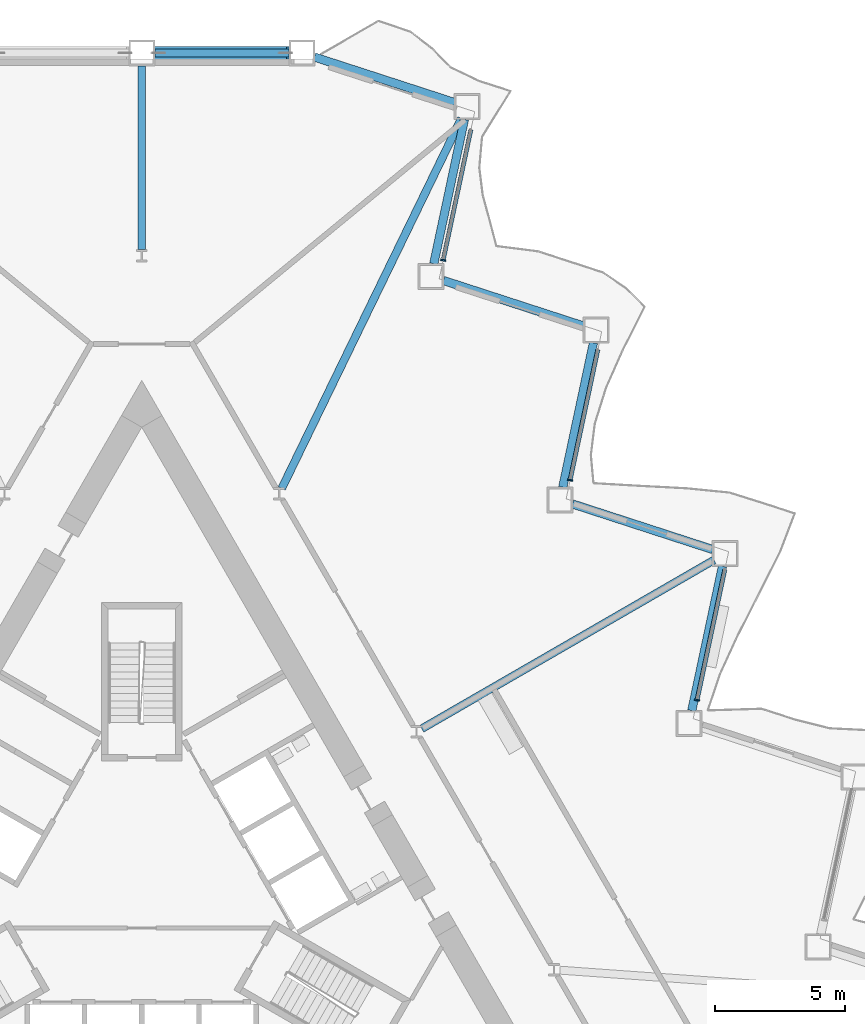
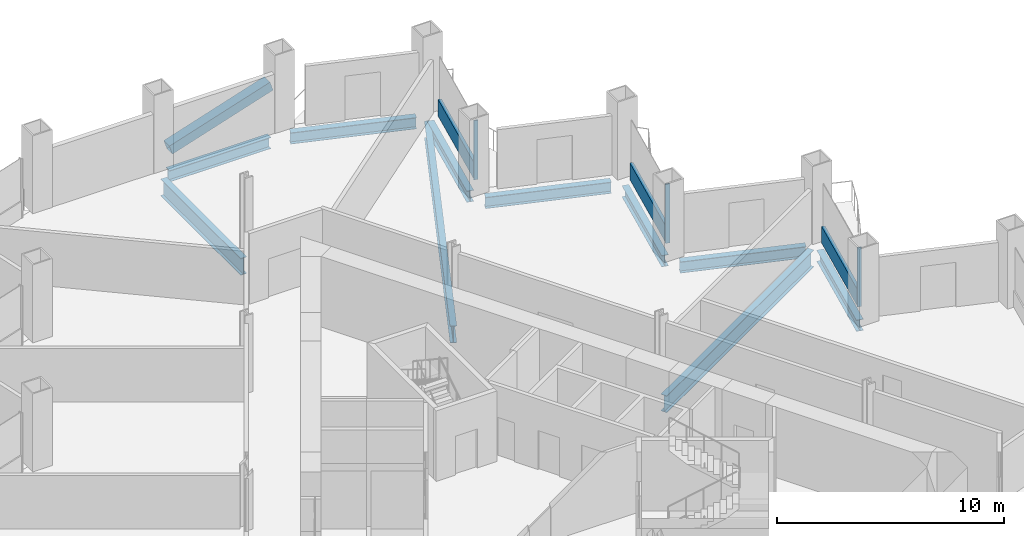
# One storey, part 7 of 20: 10 beams, 7 members, 3 elements without a shape of their own.
"""IFC4 building model written with IfcOpenShell, lengths in metres."""

from ifc_helpers import new_model, si_unit, direction, frame, origin, origin_2d, place, context, subcontext, project, spatial, rectangle, hollow_rectangle, i_section, extrude, material, layer, layer_set, material_profile, profile_set, type_object, element, aggregate, save


model = new_model("IFC4")

# Units and contexts
model_context = context("Model", 3, precision=1e-05, world=origin(), true_north=direction((0.0, 1.0)))
body_context = subcontext(model_context, "Body", "Model", "MODEL_VIEW")
ifc_project = project(units=[si_unit("LENGTHUNIT", "METRE"), si_unit("AREAUNIT", "SQUARE_METRE"), si_unit("VOLUMEUNIT", "CUBIC_METRE"), si_unit("PLANEANGLEUNIT", "RADIAN"), si_unit("MASSUNIT", "GRAM", prefix="KILO")], contexts=[model_context])

# Site, building, storey
site_placement = place(None, origin())
site = spatial("IfcSite", under=ifc_project, at=site_placement, CompositionType="ELEMENT")
building_placement = place(site_placement, origin())
building = spatial("IfcBuilding", under=site, at=building_placement, Name="Cormorant Prow Tower", CompositionType="ELEMENT")
storey_placement = place(building_placement, frame((0.0, 0.0, 63.60009765625)))
storey = spatial("IfcBuildingStorey", under=building, at=storey_placement, Name="L13", CompositionType="ELEMENT", Elevation=63.60009765625)

# Member
ifc_material_1 = material(Name="Structural steel ASTM A500 Gr C", Category="steel")
ifc_material_profile_1 = material_profile(ifc_material_1, hollow_rectangle(XDim=0.508056640625, YDim=0.508056640625, WallThickness=0.014892578125, at=origin_2d()), Name="HSS20x20x5/8")
ifc_profile_set_1 = profile_set([ifc_material_profile_1], Name="Structural steel ASTM A500 Gr C")
member_type_1 = type_object("IfcMemberType", Name="Chamfer brace HSS20x20x5/8", PredefinedType="BRACE", material=ifc_profile_set_1)
member_1_placement = place(storey_placement, frame((0.518798828125, 32.233642578125, 0.76708984375), z_axis=(0.951761092368, 0.0, 0.306840061033), x_axis=(0.0, 1.0, 0.0)))
element("IfcMember", 1, at=member_1_placement, inside=storey, type_object=member_type_1, Name="Chamfer brace BR1 at N00 L13", PredefinedType="BRACE", context=body_context, shape_type="SweptSolid", body=[
    extrude(hollow_rectangle(XDim=0.508056640625, YDim=0.508056640625, WallThickness=0.014892578125, at=origin_2d()), origin(), (0.0, 0.0, 1.0), 5.39208984375),
])

# Curtain wall, member
ifc_material_2 = material(Name="Aluminium 6063-T6", Category="aluminium")
ifc_layer = layer(ifc_material_2, 0.199951171875)
ifc_layer_set = layer_set([ifc_layer], Name="Aluminium 6063-T6")
curtain_wall_type = type_object("IfcCurtainWallType", Name="Office unitised curtain wall 200", PredefinedType="NOTDEFINED", material=ifc_layer_set)
curtain_wall_1_placement = place(storey_placement, origin())
curtain_wall_1 = element("IfcCurtainWall", 2, at=curtain_wall_1_placement, inside=storey, type_object=curtain_wall_type, Name="Office curtain wall ENE04", PredefinedType="NOTDEFINED")
ifc_material_3 = material(Name="Aluminium 6063-T6", Category="aluminium")
ifc_material_profile_2 = material_profile(ifc_material_3, rectangle(XDim=0.199951171875, YDim=0.06005859375, at=origin_2d()), Name="Office mullion 60x200")
ifc_profile_set_2 = profile_set([ifc_material_profile_2], Name="Aluminium 6063-T6")
member_type_2 = type_object("IfcMemberType", Name="Office mullion 60x200", PredefinedType="MULLION", material=ifc_profile_set_2)
member_2_placement = place(storey_placement, frame((21.376953125, 7.326904296875, 0.0), z_axis=(0.0, 0.0, 1.0), x_axis=(-0.978147607222, 0.207911660293, 0.0)))
member_2 = element("IfcMember", 3, at=member_2_placement, type_object=member_type_2, Name="Office mullion ENE04", PredefinedType="MULLION", context=body_context, shape_type="SweptSolid", body=[
    extrude(rectangle(XDim=0.199951171875, YDim=0.06005859375, at=origin_2d()), origin(), (0.0, 0.0, 1.0), 3.188720703125),
])

curtain_wall_2_placement = place(storey_placement, origin())
curtain_wall_2 = element("IfcCurtainWall", 4, at=curtain_wall_2_placement, inside=storey, type_object=curtain_wall_type, Name="Office curtain wall ENE06", PredefinedType="NOTDEFINED")
member_3_placement = place(storey_placement, frame((16.489013671875, 15.79296875, 0.0), z_axis=(0.0, 0.0, 1.0), x_axis=(-0.978147576301, 0.207911805763, 0.0)))
member_3 = element("IfcMember", 5, at=member_3_placement, type_object=member_type_2, Name="Office mullion ENE06", PredefinedType="MULLION", context=body_context, shape_type="SweptSolid", body=[
    extrude(rectangle(XDim=0.199951171875, YDim=0.06005859375, at=origin_2d()), origin(), (0.0, 0.0, 1.0), 3.188720703125),
])

curtain_wall_3_placement = place(storey_placement, origin())
curtain_wall_3 = element("IfcCurtainWall", 6, at=curtain_wall_3_placement, inside=storey, type_object=curtain_wall_type, Name="Office curtain wall ENE08", PredefinedType="NOTDEFINED")
member_4_placement = place(storey_placement, frame((11.601318359375, 24.2587890625, 0.0), z_axis=(0.0, 0.0, 1.0), x_axis=(-0.978147576301, 0.207911805763, 0.0)))
member_4 = element("IfcMember", 7, at=member_4_placement, type_object=member_type_2, Name="Office mullion ENE08", PredefinedType="MULLION", context=body_context, shape_type="SweptSolid", body=[
    extrude(rectangle(XDim=0.199951171875, YDim=0.06005859375, at=origin_2d()), origin(), (0.0, 0.0, 1.0), 3.188720703125),
])

# Member
ifc_material_4 = material(Name="Terracotta", Category="masonry")
ifc_material_profile_3 = material_profile(ifc_material_4, rectangle(XDim=0.159912109375, YDim=0.89990234375, at=origin_2d()), Name="Office terracotta spandrel rail 160x900")
ifc_profile_set_3 = profile_set([ifc_material_profile_3], Name="Terracotta")
member_type_3 = type_object("IfcMemberType", Name="Office terracotta spandrel rail 160x900", PredefinedType="USERDEFINED", material=ifc_profile_set_3)
member_5_placement = place(storey_placement, frame((21.383056640625, 7.3564453125, 0.449951171875), z_axis=(0.207933595609, 0.97814294447, 0.0), x_axis=(-0.97814294447, 0.207933595609, 0.0)))
member_5 = element("IfcMember", 8, at=member_5_placement, type_object=member_type_3, Name="Office spandrel rail ENE04", ObjectType="TRANSOM", PredefinedType="USERDEFINED", context=body_context, shape_type="SweptSolid", body=[
    extrude(rectangle(XDim=0.159912109375, YDim=0.89990234375, at=origin_2d()), origin(), (0.0, 0.0, 1.0), 5.111083984375),
])

aggregate(curtain_wall_1, [member_2, member_5])

member_6_placement = place(storey_placement, frame((16.495361328125, 15.822265625, 0.449951171875), z_axis=(0.207923880601, 0.978145009636, 0.0), x_axis=(-0.978145009636, 0.207923880601, 0.0)))
member_6 = element("IfcMember", 9, at=member_6_placement, type_object=member_type_3, Name="Office spandrel rail ENE06", ObjectType="TRANSOM", PredefinedType="USERDEFINED", context=body_context, shape_type="SweptSolid", body=[
    extrude(rectangle(XDim=0.159912109375, YDim=0.89990234375, at=origin_2d()), origin(), (0.0, 0.0, 1.0), 5.111328125),
])

aggregate(curtain_wall_2, [member_3, member_6])

member_7_placement = place(storey_placement, frame((11.607666015625, 24.2880859375, 0.449951171875), z_axis=(0.20787817929, 0.978154723229, 0.0), x_axis=(-0.978154723229, 0.20787817929, 0.0)))
member_7 = element("IfcMember", 10, at=member_7_placement, type_object=member_type_3, Name="Office spandrel rail ENE08", ObjectType="TRANSOM", PredefinedType="USERDEFINED", context=body_context, shape_type="SweptSolid", body=[
    extrude(rectangle(XDim=0.159912109375, YDim=0.89990234375, at=origin_2d()), origin(), (0.0, 0.0, 1.0), 5.111083984375),
])

aggregate(curtain_wall_3, [member_4, member_7])

# Beams
ifc_material_5 = material(Name="Structural steel ASTM A992 Gr 50", Category="steel")
ifc_material_profile_4 = material_profile(ifc_material_5, i_section(OverallWidth=0.3046875, OverallDepth=0.914794921875, WebThickness=0.0166015625, FlangeThickness=0.02587890625, at=origin_2d()), Name="W36x160")
ifc_profile_set_4 = profile_set([ifc_material_profile_4], Name="Structural steel ASTM A992 Gr 50")
beam_type_1 = type_object("IfcBeamType", Name="Radial floor beam W36x160", PredefinedType="BEAM", material=ifc_profile_set_4)
beam_1_placement = place(storey_placement, frame((0.0, 24.662109375, -0.857421875), z_axis=(0.0, 1.0, 0.0), x_axis=(-1.0, 0.0, 0.0)))
element("IfcBeam", 11, at=beam_1_placement, inside=storey, type_object=beam_type_1, Name="Radial floor beam FB1 1 L13", PredefinedType="BEAM", context=body_context, shape_type="SweptSolid", body=[
    extrude(i_section(OverallWidth=0.3046875, OverallDepth=0.914794921875, WebThickness=0.0166015625, FlangeThickness=0.02587890625, at=origin_2d()), origin(), (0.0, 0.0, 1.0), 7.071533203125),
])
beam_2_placement = place(storey_placement, frame((10.779541015625, 6.2236328125, -0.857421875), z_axis=(0.866030278318, 0.499991556966, 0.0), x_axis=(-0.499991556966, 0.866030278318, 0.0)))
element("IfcBeam", 12, at=beam_2_placement, inside=storey, type_object=beam_type_1, Name="Radial floor beam FB1 11 L13", PredefinedType="BEAM", context=body_context, shape_type="SweptSolid", body=[
    extrude(i_section(OverallWidth=0.3046875, OverallDepth=0.914794921875, WebThickness=0.0166015625, FlangeThickness=0.02587890625, at=origin_2d()), origin(), (0.0, 0.0, 1.0), 12.984130859375),
])
beam_3_placement = place(storey_placement, frame((5.390625, 15.4775390625, -0.857421875), z_axis=(0.436839436813, 0.899539496879, 0.0), x_axis=(-0.899539496879, 0.436839436813, 0.0)))
element("IfcBeam", 13, at=beam_3_placement, inside=storey, type_object=beam_type_1, Name="Radial floor beam FB1 12 L13", PredefinedType="BEAM", context=body_context, shape_type="SweptSolid", body=[
    extrude(i_section(OverallWidth=0.3046875, OverallDepth=0.914794921875, WebThickness=0.0166015625, FlangeThickness=0.02587890625, at=origin_2d()), origin(), (0.0, 0.0, 1.0), 15.83203125),
])
ifc_material_6 = material(Name="Structural steel ASTM A992 Gr 50", Category="steel")
ifc_material_profile_5 = material_profile(ifc_material_6, i_section(OverallWidth=0.32373046875, OverallDepth=0.611083984375, WebThickness=0.0126953125, FlangeThickness=0.01904296875, at=origin_2d()), Name="W24x104")
ifc_profile_set_5 = profile_set([ifc_material_profile_5], Name="Structural steel ASTM A992 Gr 50")
beam_type_2 = type_object("IfcBeamType", Name="Spandrel beam W24x104", PredefinedType="SPANDREL", material=ifc_profile_set_5)
beam_4_placement = place(storey_placement, frame((21.171875, 6.918212890625, -0.70556640625), z_axis=(0.207900376723, 0.97815000555, 0.0), x_axis=(-0.97815000555, 0.207900376723, 0.0)))
element("IfcBeam", 14, at=beam_4_placement, inside=storey, type_object=beam_type_2, Name="Spandrel beam SB1 ENE04-ENE05 L13", PredefinedType="SPANDREL", context=body_context, shape_type="SweptSolid", body=[
    extrude(i_section(OverallWidth=0.32373046875, OverallDepth=0.611083984375, WebThickness=0.0126953125, FlangeThickness=0.01904296875, at=origin_2d()), origin(), (0.0, 0.0, 1.0), 5.6826171875),
])
beam_5_placement = place(storey_placement, frame((21.981689453125, 13.1201171875, -0.70556640625), z_axis=(-0.951049222751, 0.309039440696, 0.0), x_axis=(-0.309039440696, -0.951049222751, 0.0)))
element("IfcBeam", 15, at=beam_5_placement, inside=storey, type_object=beam_type_2, Name="Spandrel beam SB1 ENE05-ENE06 L13", PredefinedType="SPANDREL", context=body_context, shape_type="SweptSolid", body=[
    extrude(i_section(OverallWidth=0.32373046875, OverallDepth=0.611083984375, WebThickness=0.0126953125, FlangeThickness=0.01904296875, at=origin_2d()), origin(), (0.0, 0.0, 1.0), 5.682373046875),
])
beam_6_placement = place(storey_placement, frame((16.205810546875, 15.519775390625, -0.70556640625), z_axis=(0.207900376723, 0.97815000555, 0.0), x_axis=(-0.97815000555, 0.207900376723, 0.0)))
element("IfcBeam", 16, at=beam_6_placement, inside=storey, type_object=beam_type_2, Name="Spandrel beam SB1 ENE06-ENE07 L13", PredefinedType="SPANDREL", context=body_context, shape_type="SweptSolid", body=[
    extrude(i_section(OverallWidth=0.32373046875, OverallDepth=0.611083984375, WebThickness=0.0126953125, FlangeThickness=0.01904296875, at=origin_2d()), origin(), (0.0, 0.0, 1.0), 5.6826171875),
])
beam_7_placement = place(storey_placement, frame((17.015625, 21.7216796875, -0.70556640625), z_axis=(-0.951049222751, 0.309039440696, 0.0), x_axis=(-0.309039440696, -0.951049222751, 0.0)))
element("IfcBeam", 17, at=beam_7_placement, inside=storey, type_object=beam_type_2, Name="Spandrel beam SB1 ENE07-ENE08 L13", PredefinedType="SPANDREL", context=body_context, shape_type="SweptSolid", body=[
    extrude(i_section(OverallWidth=0.32373046875, OverallDepth=0.611083984375, WebThickness=0.0126953125, FlangeThickness=0.01904296875, at=origin_2d()), origin(), (0.0, 0.0, 1.0), 5.682373046875),
])
beam_8_placement = place(storey_placement, frame((11.23974609375, 24.121337890625, -0.70556640625), z_axis=(0.207900376723, 0.97815000555, 0.0), x_axis=(-0.97815000555, 0.207900376723, 0.0)))
element("IfcBeam", 18, at=beam_8_placement, inside=storey, type_object=beam_type_2, Name="Spandrel beam SB1 ENE08-ENE09 L13", PredefinedType="SPANDREL", context=body_context, shape_type="SweptSolid", body=[
    extrude(i_section(OverallWidth=0.32373046875, OverallDepth=0.611083984375, WebThickness=0.0126953125, FlangeThickness=0.01904296875, at=origin_2d()), origin(), (0.0, 0.0, 1.0), 5.6826171875),
])
beam_9_placement = place(storey_placement, frame((12.049560546875, 30.3232421875, -0.70556640625), z_axis=(-0.951061849722, 0.309000579292, 0.0), x_axis=(-0.309000579292, -0.951061849722, 0.0)))
element("IfcBeam", 19, at=beam_9_placement, inside=storey, type_object=beam_type_2, Name="Spandrel beam SB1 ENE09-N00 L13", PredefinedType="SPANDREL", context=body_context, shape_type="SweptSolid", body=[
    extrude(i_section(OverallWidth=0.32373046875, OverallDepth=0.611083984375, WebThickness=0.0126953125, FlangeThickness=0.01904296875, at=origin_2d()), origin(), (0.0, 0.0, 1.0), 5.682373046875),
])
beam_10_placement = place(storey_placement, frame((5.669677734375, 32.233642578125, -0.70556640625), z_axis=(-1.0, 0.0, 0.0), x_axis=(0.0, -1.0, 0.0)))
element("IfcBeam", 20, at=beam_10_placement, inside=storey, type_object=beam_type_2, Name="Spandrel beam SB1 N00-N01 L13", PredefinedType="SPANDREL", context=body_context, shape_type="SweptSolid", body=[
    extrude(i_section(OverallWidth=0.32373046875, OverallDepth=0.611083984375, WebThickness=0.0126953125, FlangeThickness=0.01904296875, at=origin_2d()), origin(), (0.0, 0.0, 1.0), 5.169677734375),
])

save(model, "model.ifc")
